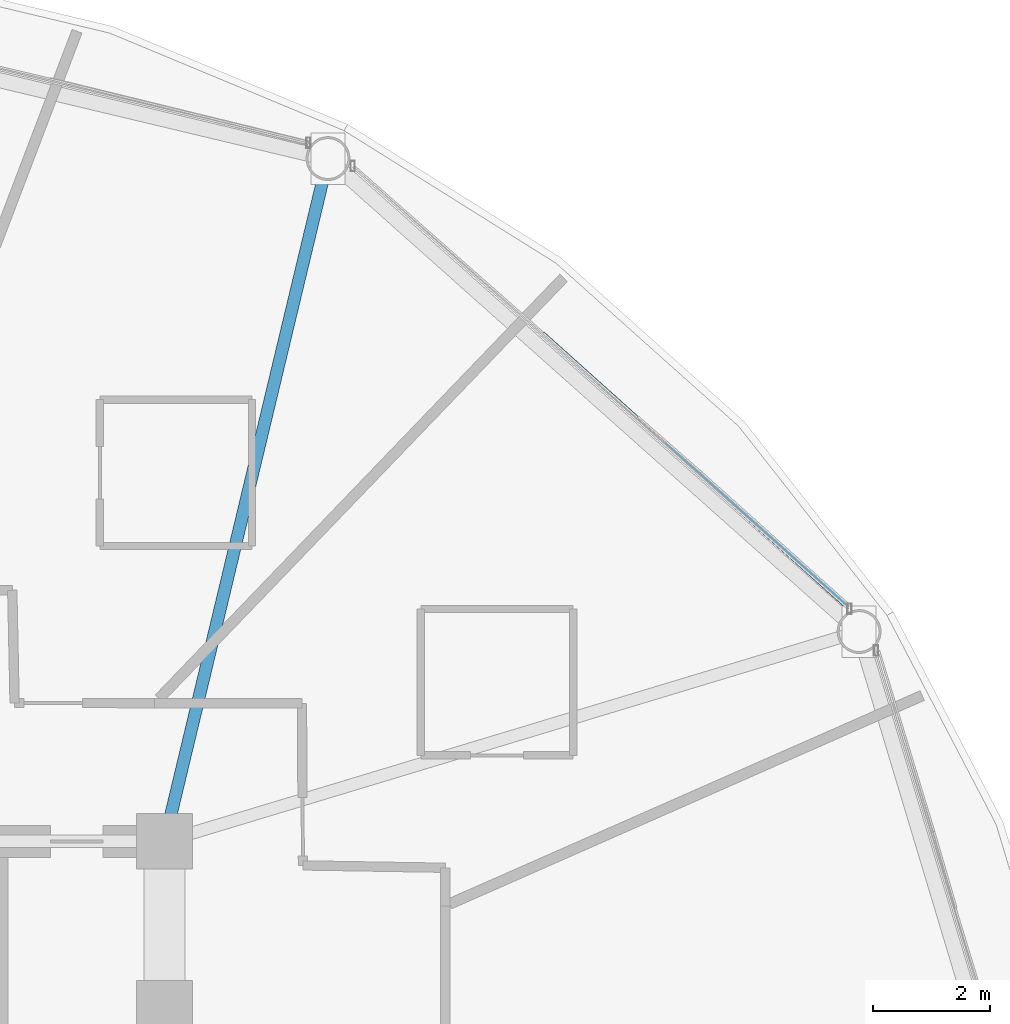
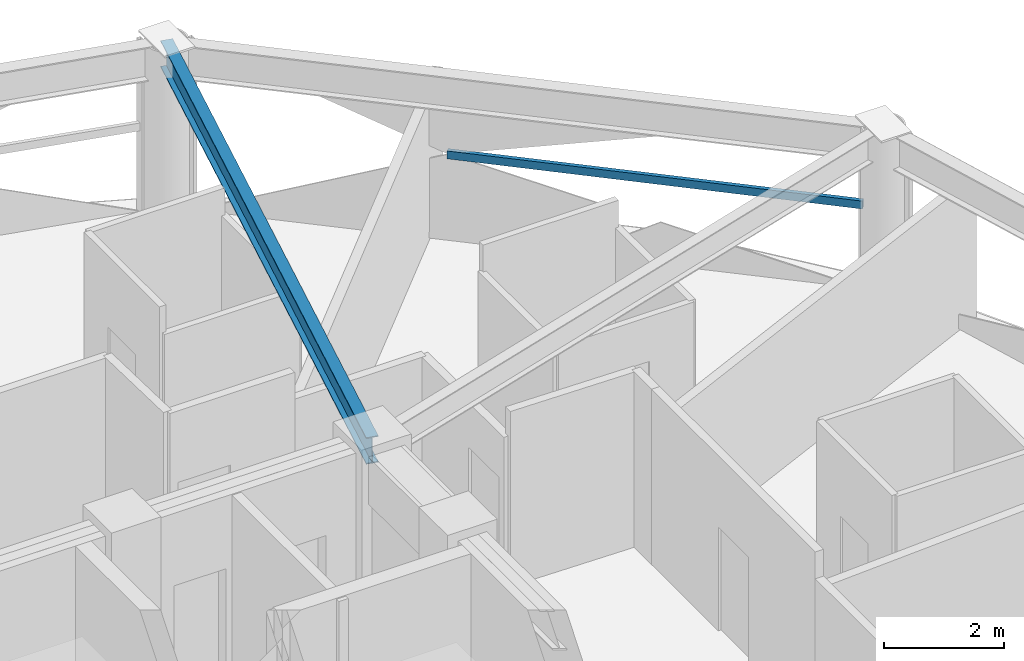
# One storey, part 18 of 30: 1 beam, 1 member, 1 element without a shape of its own.
"""IFC4 building model written with IfcOpenShell, lengths in metres."""

from ifc_helpers import new_model, si_unit, direction, frame, origin, origin_2d, place, context, subcontext, project, spatial, hollow_rectangle, i_section, extrude, material, layer, layer_set, material_profile, profile_set, type_object, element, aggregate, save


model = new_model("IFC4")

# Units and contexts
model_context = context("Model", 3, precision=1e-05, world=origin(), true_north=direction((0.0, 1.0)))
body_context = subcontext(model_context, "Body", "Model", "MODEL_VIEW")
ifc_project = project(units=[si_unit("LENGTHUNIT", "METRE"), si_unit("AREAUNIT", "SQUARE_METRE"), si_unit("VOLUMEUNIT", "CUBIC_METRE"), si_unit("PLANEANGLEUNIT", "RADIAN"), si_unit("MASSUNIT", "GRAM", prefix="KILO")], contexts=[model_context])

# Site, building, storey
site_placement = place(None, origin())
site = spatial("IfcSite", under=ifc_project, at=site_placement, CompositionType="ELEMENT")
building_placement = place(site_placement, origin())
building = spatial("IfcBuilding", under=site, at=building_placement, Name="Vantalir Tower", CompositionType="ELEMENT")
storey_placement = place(building_placement, frame((0.0, 0.0, 153.449951171875)))
storey = spatial("IfcBuildingStorey", under=building, at=storey_placement, Name="L38", CompositionType="ELEMENT", Elevation=153.449951171875)

# Beam
ifc_material_1 = material(Name="Steel S355", Category="steel")
ifc_material_profile_1 = material_profile(ifc_material_1, i_section(OverallWidth=0.2109375, OverallDepth=0.5390625, WebThickness=0.01171875, FlangeThickness=0.018798828125, at=origin_2d()), Name="Steel S355")
ifc_profile_set_1 = profile_set([ifc_material_profile_1], Name="Steel S355")
beam_type = type_object("IfcBeamType", Name="BM-RB-533x210", PredefinedType="BEAM", material=ifc_profile_set_1)
beam_placement = place(storey_placement, frame((43.89208984375, 44.112060546875, 3.301025390625), z_axis=(-0.232827745241, -0.972517990089, 0.0), x_axis=(0.972517990089, -0.232827745241, 0.0)))
element("IfcBeam", 1, at=beam_placement, inside=storey, type_object=beam_type, Name="L38 Radial Floor Beam 03", PredefinedType="BEAM", context=body_context, shape_type="SweptSolid", body=[
    extrude(i_section(OverallWidth=0.2109375, OverallDepth=0.5390625, WebThickness=0.01171875, FlangeThickness=0.018798828125, at=origin_2d()), origin(), (0.0, 0.0, 1.0), 11.99169921875),
])

# Curtain wall, member
ifc_material_2 = material(Name="Champagne-silver PVDF aluminium and double-silver Low-E glass", Category="aluminium")
ifc_layer = layer(ifc_material_2, 0.199951171875)
ifc_layer_set = layer_set([ifc_layer], Name="Champagne-silver PVDF aluminium and double-silver Low-E glass")
curtain_wall_type = type_object("IfcCurtainWallType", Name="CW-DIAMOND-Z2", PredefinedType="USERDEFINED", material=ifc_layer_set)
curtain_wall_placement = place(storey_placement, origin())
curtain_wall = element("IfcCurtainWall", 2, at=curtain_wall_placement, inside=storey, type_object=curtain_wall_type, Name="L38 Quilted Pyramid-Diamond Curtain Wall S02", ObjectType="UNITISED CURTAIN WALL", PredefinedType="USERDEFINED")
ifc_material_3 = material(Name="Champagne-silver PVDF aluminium 6063-T6", Category="aluminium")
ifc_material_profile_2 = material_profile(ifc_material_3, hollow_rectangle(XDim=0.074951171875, YDim=0.159912109375, WallThickness=0.00390625, at=origin_2d()), Name="Champagne-silver PVDF aluminium 6063-T6")
ifc_profile_set_2 = profile_set([ifc_material_profile_2], Name="Champagne-silver PVDF aluminium 6063-T6")
member_type = type_object("IfcMemberType", Name="CWT-160x75", PredefinedType="USERDEFINED", material=ifc_profile_set_2)
member_placement = place(storey_placement, frame((52.799072265625, 36.422119140625, 1.78515625), z_axis=(-0.744282479316, 0.66786494966, 0.0), x_axis=(-0.66786494966, -0.744282479316, 0.0)))
member = element("IfcMember", 3, at=member_placement, type_object=member_type, Name="CW-L38-S02 Pyramid Fold Ridge Transom", ObjectType="TRANSOM", PredefinedType="USERDEFINED", context=body_context, shape_type="SweptSolid", body=[
    extrude(hollow_rectangle(XDim=0.074951171875, YDim=0.159912109375, WallThickness=0.00390625, at=origin_2d()), origin(), (0.0, 0.0, 1.0), 7.044677734375),
])
aggregate(curtain_wall, [member])

save(model, "model.ifc")
